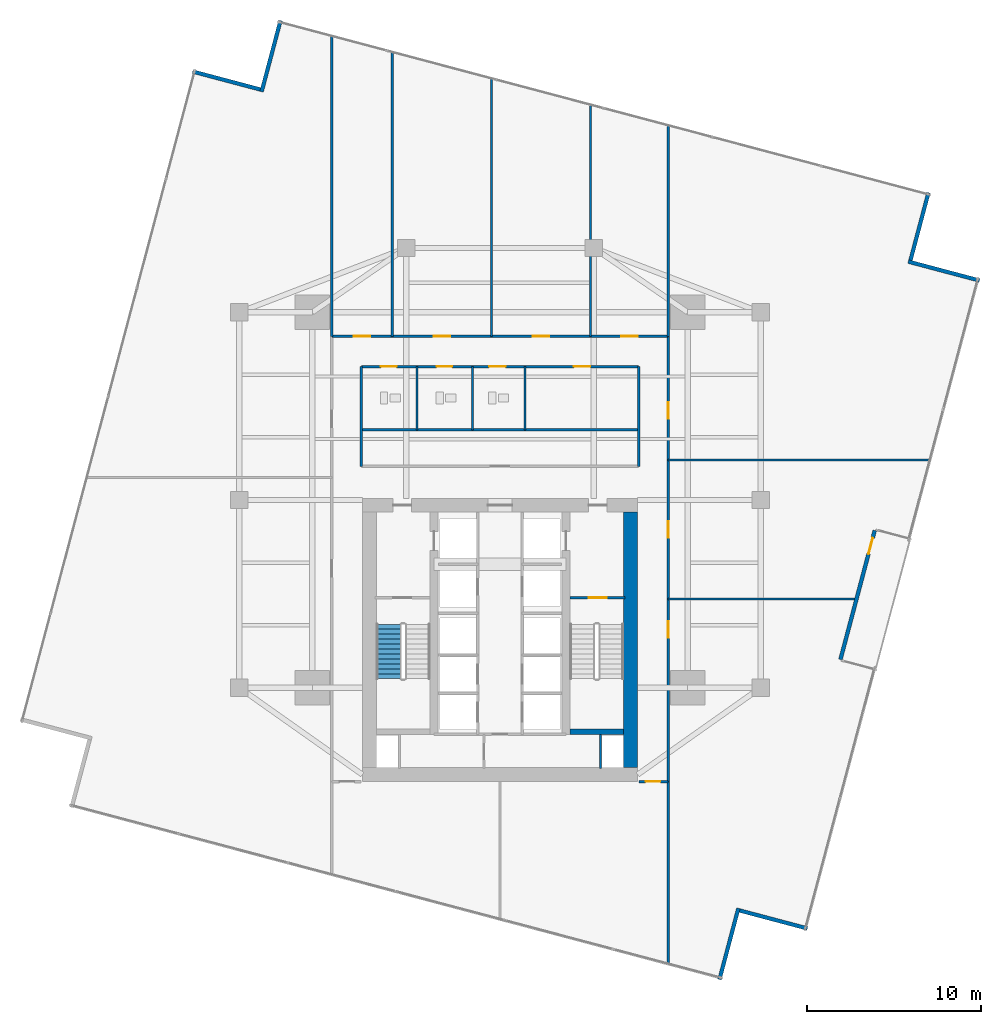
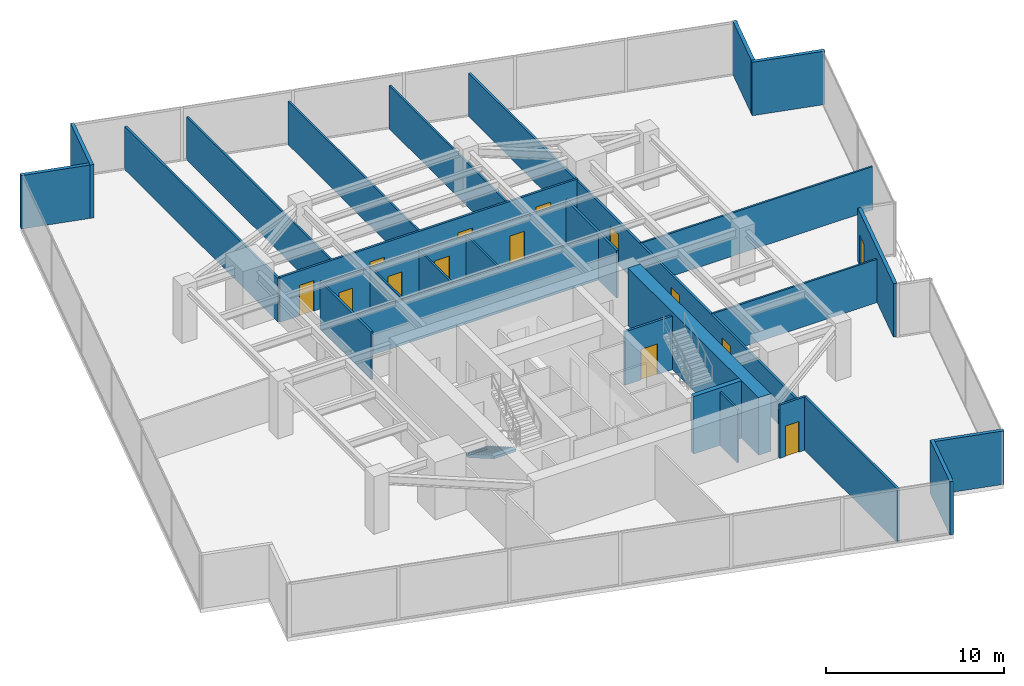
# One storey, part 24 of 27: 29 walls, 14 doors, 1 stair flight, 14 openings, 1 element without a shape of its own.
"""IFC4 building model written with IfcOpenShell, lengths in metres."""

from ifc_helpers import new_model, si_unit, direction, frame, frame_2d, origin, place, context, subcontext, project, spatial, polyline, rectangle, outline, extrude, material, layer, layer_set, type_object, element, fill, aggregate, save


model = new_model("IFC4")

# Units and contexts
model_context = context("Model", 3, precision=1e-05, world=origin(), true_north=direction((0.0, 1.0)))
body_context = subcontext(model_context, "Body", "Model", "MODEL_VIEW")
ifc_project = project(units=[si_unit("LENGTHUNIT", "METRE"), si_unit("AREAUNIT", "SQUARE_METRE"), si_unit("VOLUMEUNIT", "CUBIC_METRE"), si_unit("PLANEANGLEUNIT", "RADIAN"), si_unit("MASSUNIT", "GRAM", prefix="KILO")], contexts=[model_context])

# Site, building, storey
site_placement = place(None, origin())
site = spatial("IfcSite", under=ifc_project, at=site_placement, CompositionType="ELEMENT")
building_placement = place(site_placement, origin())
building = spatial("IfcBuilding", under=site, at=building_placement, Name="Krantzveldt Concourse Tower", CompositionType="ELEMENT")
storey_placement = place(building_placement, frame((0.0, 0.0, 101.89990234375)))
storey = spatial("IfcBuildingStorey", under=building, at=storey_placement, Name="L24", CompositionType="ELEMENT", Elevation=101.89990234375)

# Walls
ifc_material_1 = material(Name="Anodised aluminium 6063-T6", Category="aluminium")
ifc_layer_1 = layer(ifc_material_1, 0.219970703125, Name="Anodised aluminium 6063-T6", Category="aluminium")
ifc_layer_set_1 = layer_set([ifc_layer_1], Name="Anodised aluminium 6063-T6 (WL-EXT-NOTCH220)")
wall_type_1 = type_object("IfcWallType", Name="WL-EXT-NOTCH220", PredefinedType="ELEMENTEDWALL", material=ifc_layer_set_1)
wall_1_placement = place(storey_placement, frame((22.2021484375, 50.32373046875, 0.0), z_axis=(0.0, 0.0, 1.0), x_axis=(-0.966492181189, 0.256696053144, 0.0)))
element("IfcWall", 1, at=wall_1_placement, inside=storey, type_object=wall_type_1, Name="EW-L24-NCH00", PredefinedType="ELEMENTEDWALL", context=body_context, shape_type="SweptSolid", body=[
    extrude(rectangle(XDim=4.02490234375, YDim=0.219970703125, at=frame_2d((2.012451171875, 0.0))), origin(), (0.0, 0.0, 1.0), 3.670166015625),
])
wall_2_placement = place(storey_placement, frame((48.630126953125, -0.891845703125, 0.0), z_axis=(0.0, 0.0, 1.0), x_axis=(0.256692391399, 0.966493153725, 0.0)))
element("IfcWall", 2, at=wall_2_placement, inside=storey, type_object=wall_type_1, Name="EW-L24-NCH05", PredefinedType="ELEMENTEDWALL", context=body_context, shape_type="SweptSolid", body=[
    extrude(rectangle(XDim=4.244873046875, YDim=0.219970703125, at=frame_2d((2.12255859375, 0.0))), origin(), (0.0, 0.0, 1.0), 3.670166015625),
])
wall_3_placement = place(storey_placement, frame((49.7978515625, 3.076171875, 0.0), z_axis=(0.0, 0.0, 1.0), x_axis=(0.966492181189, -0.256696053144, 0.0)))
element("IfcWall", 3, at=wall_3_placement, inside=storey, type_object=wall_type_1, Name="EW-L24-NCH06", PredefinedType="ELEMENTEDWALL", context=body_context, shape_type="SweptSolid", body=[
    extrude(rectangle(XDim=4.02490234375, YDim=0.219970703125, at=frame_2d((2.012451171875, 0.0))), origin(), (0.0, 0.0, 1.0), 3.670166015625),
])

# Wall, opening, door
wall_4_placement = place(storey_placement, frame((57.5634765625, 24.95068359375, 0.0), z_axis=(0.0, 0.0, 1.0), x_axis=(-0.256717978083, -0.966486357756, 0.0)))
wall_4 = element("IfcWall", 4, at=wall_4_placement, inside=storey, type_object=wall_type_1, Name="EW-L24-TSLOT", PredefinedType="ELEMENTEDWALL", context=body_context, shape_type="SweptSolid", body=[
    extrude(rectangle(XDim=7.68994140625, YDim=0.219970703125, at=frame_2d((3.844970703125, 0.0))), origin(), (0.0, 0.0, 1.0), 3.670166015625),
])
opening_1_placement = place(wall_4_placement, frame((0.449951171875, 0.0, 0.0)))
opening_1 = element("IfcOpeningElement", 5, at=opening_1_placement, cuts=wall_4, Name="Opening D-EX95", PredefinedType="OPENING", context=body_context, shape_type="SweptSolid", body=[
    extrude(rectangle(XDim=0.949951171875, YDim=2.10009765625, at=frame_2d((0.47509765625, 1.050048828125))), frame((0.0, 0.1201171875, 0.0), z_axis=(0.0, -1.0, 0.0), x_axis=(1.0, 0.0, 0.0)), (0.0, 0.0, 1.0), 0.239990234375),
])
door_type_1 = type_object("IfcDoorType", Name="DR-EXT-950", OperationType="SINGLE_SWING_LEFT", PredefinedType="DOOR", material=ifc_material_1)
door_1_placement = place(opening_1_placement, origin())
door_1 = element("IfcDoor", 6, at=door_1_placement, inside=storey, type_object=door_type_1, Name="DR-L24-TERR", OperationType="SINGLE_SWING_LEFT", OverallHeight=2.10009765625, OverallWidth=0.949951171875, PredefinedType="DOOR", context=body_context, shape_type="SweptSolid", body=[
    extrude(rectangle(XDim=0.949951171875, YDim=2.10009765625, at=frame_2d((0.47509765625, 1.050048828125))), frame((0.0, 0.02490234375, 0.0), z_axis=(0.0, -1.0, 0.0), x_axis=(1.0, 0.0, 0.0)), (0.0, 0.0, 1.0), 0.050048828125),
])
fill(opening_1, door_1)

# Walls
wall_5_placement = place(storey_placement, frame((63.592041015625, 39.330078125, 0.0), z_axis=(0.0, 0.0, 1.0), x_axis=(-0.966482674278, 0.256731845164, 0.0)))
element("IfcWall", 7, at=wall_5_placement, inside=storey, type_object=wall_type_1, Name="EW-L24-NCH12", PredefinedType="ELEMENTEDWALL", context=body_context, shape_type="SweptSolid", body=[
    extrude(rectangle(XDim=4.2451171875, YDim=0.219970703125, at=frame_2d((2.12255859375, 0.0))), origin(), (0.0, 0.0, 1.0), 3.670166015625),
])
wall_6_placement = place(storey_placement, frame((59.623779296875, 40.497802734375, 0.0), z_axis=(0.0, 0.0, 1.0), x_axis=(0.256696053144, 0.966492181189, 0.0)))
element("IfcWall", 8, at=wall_6_placement, inside=storey, type_object=wall_type_1, Name="EW-L24-NCH13", PredefinedType="ELEMENTEDWALL", context=body_context, shape_type="SweptSolid", body=[
    extrude(rectangle(XDim=4.02490234375, YDim=0.219970703125, at=frame_2d((2.012451171875, 0.0))), origin(), (0.0, 0.0, 1.0), 3.670166015625),
])
wall_7_placement = place(storey_placement, frame((23.369873046875, 54.2919921875, 0.0), z_axis=(0.0, 0.0, 1.0), x_axis=(-0.256678123022, -0.966496943173, 0.0)))
element("IfcWall", 9, at=wall_7_placement, inside=storey, type_object=wall_type_1, Name="EW-L24-NCH15", PredefinedType="ELEMENTEDWALL", context=body_context, shape_type="SweptSolid", body=[
    extrude(rectangle(XDim=4.2451171875, YDim=0.219970703125, at=frame_2d((2.12255859375, 0.0))), origin(), (0.0, 0.0, 1.0), 3.670166015625),
])
ifc_material_2 = material(Name="Fire-rated gypsum plasterboard on steel stud", Category="steel")
ifc_layer_2 = layer(ifc_material_2, 0.1201171875, Name="Fire-rated gypsum plasterboard on steel stud", Category="steel")
ifc_layer_set_2 = layer_set([ifc_layer_2], Name="Fire-rated gypsum plasterboard on steel stud (WL-PART-120)")
wall_type_2 = type_object("IfcWallType", Name="WL-PART-120", PredefinedType="PARTITIONING", material=ifc_layer_set_2)
wall_8_placement = place(storey_placement, frame((28.02001953125, 30.739990234375, 0.0), z_axis=(0.0, 0.0, 1.0), x_axis=(1.0, 0.0, 0.0)))
element("IfcWall", 10, at=wall_8_placement, inside=storey, type_object=wall_type_2, Name="WP-L24-ISLM", PredefinedType="PARTITIONING", context=body_context, shape_type="SweptSolid", body=[
    extrude(rectangle(XDim=15.9599609375, YDim=0.1201171875, at=frame_2d((7.97998046875, 0.0))), origin(), (0.0, 0.0, 1.0), 3.080078125),
])
for number, where, z_axis, x_axis, name in (
    (11, (31.219970703125, 30.739990234375, 0.0), (0.0, 0.0, 1.0), (0.0, 1.0, 0.0), "WP-L24-WCD1"),
    (12, (34.419921875, 30.739990234375, 0.0), (0.0, 0.0, 1.0), (0.0, 1.0, 0.0), "WP-L24-WCD2"),
    (13, (37.449951171875, 30.739990234375, 0.0), (0.0, 0.0, 1.0), (0.0, 1.0, 0.0), "WP-L24-WCD3"),
):
    element("IfcWall", number, at=place(storey_placement, frame(where, z_axis=z_axis, x_axis=x_axis)), inside=storey, type_object=wall_type_2, Name=name, PredefinedType="PARTITIONING", context=body_context, shape_type="SweptSolid", body=[
        extrude(rectangle(XDim=3.639892578125, YDim=0.1201171875, at=frame_2d((1.81982421875, 0.0))), origin(), (0.0, 0.0, 1.0), 3.170166015625),
    ])
wall_9_placement = place(storey_placement, frame((29.800048828125, 36.1201171875, 0.0), z_axis=(0.0, 0.0, 1.0), x_axis=(0.0, 1.0, 0.0)))
element("IfcWall", 14, at=wall_9_placement, inside=storey, type_object=wall_type_2, Name="WP-L24-ND1", PredefinedType="PARTITIONING", context=body_context, shape_type="SweptSolid", body=[
    extrude(rectangle(XDim=16.344970703125, YDim=0.1201171875, at=frame_2d((8.17236328125, 0.0))), origin(), (0.0, 0.0, 1.0), 2.97021484375),
])
wall_10_placement = place(storey_placement, frame((35.5, 36.1201171875, 0.0), z_axis=(0.0, 0.0, 1.0), x_axis=(0.0, 1.0, 0.0)))
element("IfcWall", 15, at=wall_10_placement, inside=storey, type_object=wall_type_2, Name="WP-L24-ND2", PredefinedType="PARTITIONING", context=body_context, shape_type="SweptSolid", body=[
    extrude(rectangle(XDim=14.8310546875, YDim=0.1201171875, at=frame_2d((7.41552734375, 0.0))), origin(), (0.0, 0.0, 1.0), 2.97021484375),
])
wall_11_placement = place(storey_placement, frame((41.199951171875, 36.1201171875, 0.0), z_axis=(0.0, 0.0, 1.0), x_axis=(0.0, 1.0, 0.0)))
element("IfcWall", 16, at=wall_11_placement, inside=storey, type_object=wall_type_2, Name="WP-L24-ND3", PredefinedType="PARTITIONING", context=body_context, shape_type="SweptSolid", body=[
    extrude(rectangle(XDim=13.31689453125, YDim=0.1201171875, at=frame_2d((6.658447265625, 0.0))), origin(), (0.0, 0.0, 1.0), 2.97021484375),
])
wall_12_placement = place(storey_placement, frame((45.679931640625, 21.0, 0.0), z_axis=(0.0, 0.0, 1.0), x_axis=(1.0, 0.0, 0.0)))
element("IfcWall", 17, at=wall_12_placement, inside=storey, type_object=wall_type_2, Name="WP-L24-ED1", PredefinedType="PARTITIONING", context=body_context, shape_type="SweptSolid", body=[
    extrude(rectangle(XDim=10.71533203125, YDim=0.1201171875, at=frame_2d((5.357666015625, 0.0))), origin(), (0.0, 0.0, 1.0), 2.97021484375),
])
wall_13_placement = place(storey_placement, frame((45.679931640625, 29.0, 0.0), z_axis=(0.0, 0.0, 1.0), x_axis=(1.0, 0.0, 0.0)))
element("IfcWall", 18, at=wall_13_placement, inside=storey, type_object=wall_type_2, Name="WP-L24-ED2", PredefinedType="PARTITIONING", context=body_context, shape_type="SweptSolid", body=[
    extrude(rectangle(XDim=15.04931640625, YDim=0.1201171875, at=frame_2d((7.524658203125, 0.0))), origin(), (0.0, 0.0, 1.0), 2.97021484375),
])

# Wall, openings, doors
ifc_layer_3 = layer(ifc_material_2, 0.139892578125, Name="Fire-rated gypsum plasterboard on steel stud", Category="steel")
ifc_layer_set_3 = layer_set([ifc_layer_3], Name="Fire-rated gypsum plasterboard on steel stud (WL-PART-140)")
wall_type_3 = type_object("IfcWallType", Name="WL-PART-140", PredefinedType="PARTITIONING", material=ifc_layer_set_3)
wall_14_placement = place(storey_placement, frame((28.02001953125, 34.3798828125, 0.0), z_axis=(0.0, 0.0, 1.0), x_axis=(1.0, 0.0, 0.0)))
wall_14 = element("IfcWall", 19, at=wall_14_placement, inside=storey, type_object=wall_type_3, Name="WP-L24-ISLN", PredefinedType="PARTITIONING", context=body_context, shape_type="SweptSolid", body=[
    extrude(rectangle(XDim=15.9599609375, YDim=0.139892578125, at=frame_2d((7.97998046875, 0.0))), origin(), (0.0, 0.0, 1.0), 3.080078125),
])
opening_2_placement = place(wall_14_placement, frame((1.1298828125, 0.0, 0.0)))
opening_2 = element("IfcOpeningElement", 20, at=opening_2_placement, cuts=wall_14, Name="Opening D-IN090", PredefinedType="OPENING", context=body_context, shape_type="SweptSolid", body=[
    extrude(rectangle(XDim=0.89990234375, YDim=2.10009765625, at=frame_2d((0.449951171875, 1.050048828125))), frame((0.0, 0.080078125, 0.0), z_axis=(0.0, -1.0, 0.0), x_axis=(1.0, 0.0, 0.0)), (0.0, 0.0, 1.0), 0.159912109375),
])
opening_3_placement = place(wall_14_placement, frame((4.330078125, 0.0, 0.0)))
opening_3 = element("IfcOpeningElement", 21, at=opening_3_placement, cuts=wall_14, Name="Opening D-IN090", PredefinedType="OPENING", context=body_context, shape_type="SweptSolid", body=[
    extrude(rectangle(XDim=0.89990234375, YDim=2.10009765625, at=frame_2d((0.449951171875, 1.050048828125))), frame((0.0, 0.080078125, 0.0), z_axis=(0.0, -1.0, 0.0), x_axis=(1.0, 0.0, 0.0)), (0.0, 0.0, 1.0), 0.159912109375),
])
opening_4_placement = place(wall_14_placement, frame((7.35498046875, 0.0, 0.0)))
opening_4 = element("IfcOpeningElement", 22, at=opening_4_placement, cuts=wall_14, Name="Opening D-IN095", PredefinedType="OPENING", context=body_context, shape_type="SweptSolid", body=[
    extrude(rectangle(XDim=0.949951171875, YDim=2.10009765625, at=frame_2d((0.47509765625, 1.050048828125))), frame((0.0, 0.080078125, 0.0), z_axis=(0.0, -1.0, 0.0), x_axis=(1.0, 0.0, 0.0)), (0.0, 0.0, 1.0), 0.159912109375),
])
opening_5_placement = place(wall_14_placement, frame((12.22998046875, 0.0, 0.0)))
opening_5 = element("IfcOpeningElement", 23, at=opening_5_placement, cuts=wall_14, Name="Opening D-IN095", PredefinedType="OPENING", context=body_context, shape_type="SweptSolid", body=[
    extrude(rectangle(XDim=0.949951171875, YDim=2.10009765625, at=frame_2d((0.47509765625, 1.050048828125))), frame((0.0, 0.080078125, 0.0), z_axis=(0.0, -1.0, 0.0), x_axis=(1.0, 0.0, 0.0)), (0.0, 0.0, 1.0), 0.159912109375),
])
ifc_material_3 = material(Name="Hardwood timber", Category="wood")
door_type_2 = type_object("IfcDoorType", Name="DR-INT-900", OperationType="SINGLE_SWING_LEFT", PredefinedType="DOOR", material=ifc_material_3)
door_2_placement = place(opening_2_placement, origin())
door_2 = element("IfcDoor", 24, at=door_2_placement, inside=storey, type_object=door_type_2, Name="DR-L24-WCM", OperationType="SINGLE_SWING_LEFT", OverallHeight=2.10009765625, OverallWidth=0.89990234375, PredefinedType="DOOR", context=body_context, shape_type="SweptSolid", body=[
    extrude(rectangle(XDim=0.89990234375, YDim=2.10009765625, at=frame_2d((0.449951171875, 1.050048828125))), frame((0.0, 0.02490234375, 0.0), z_axis=(0.0, -1.0, 0.0), x_axis=(1.0, 0.0, 0.0)), (0.0, 0.0, 1.0), 0.050048828125),
])
fill(opening_2, door_2)
door_3_placement = place(opening_3_placement, origin())
door_3 = element("IfcDoor", 25, at=door_3_placement, inside=storey, type_object=door_type_2, Name="DR-L24-WCF", OperationType="SINGLE_SWING_RIGHT", OverallHeight=2.10009765625, OverallWidth=0.89990234375, PredefinedType="DOOR", context=body_context, shape_type="SweptSolid", body=[
    extrude(rectangle(XDim=0.89990234375, YDim=2.10009765625, at=frame_2d((0.449951171875, 1.050048828125))), frame((0.0, 0.02490234375, 0.0), z_axis=(0.0, -1.0, 0.0), x_axis=(1.0, 0.0, 0.0)), (0.0, 0.0, 1.0), 0.050048828125),
])
fill(opening_3, door_3)
door_type_3 = type_object("IfcDoorType", Name="DR-INT-950", OperationType="SINGLE_SWING_LEFT", PredefinedType="DOOR", material=ifc_material_3)
door_4_placement = place(opening_4_placement, origin())
door_4 = element("IfcDoor", 26, at=door_4_placement, inside=storey, type_object=door_type_3, Name="DR-L24-WCA", OperationType="SINGLE_SWING_LEFT", OverallHeight=2.10009765625, OverallWidth=0.949951171875, PredefinedType="DOOR", context=body_context, shape_type="SweptSolid", body=[
    extrude(rectangle(XDim=0.949951171875, YDim=2.10009765625, at=frame_2d((0.47509765625, 1.050048828125))), frame((0.0, 0.02490234375, 0.0), z_axis=(0.0, -1.0, 0.0), x_axis=(1.0, 0.0, 0.0)), (0.0, 0.0, 1.0), 0.050048828125),
])
fill(opening_4, door_4)
door_5_placement = place(opening_5_placement, origin())
door_5 = element("IfcDoor", 27, at=door_5_placement, inside=storey, type_object=door_type_3, Name="DR-L24-PNT", OperationType="SINGLE_SWING_RIGHT", OverallHeight=2.10009765625, OverallWidth=0.949951171875, PredefinedType="DOOR", context=body_context, shape_type="SweptSolid", body=[
    extrude(rectangle(XDim=0.949951171875, YDim=2.10009765625, at=frame_2d((0.47509765625, 1.050048828125))), frame((0.0, 0.02490234375, 0.0), z_axis=(0.0, -1.0, 0.0), x_axis=(1.0, 0.0, 0.0)), (0.0, 0.0, 1.0), 0.050048828125),
])
fill(opening_5, door_5)

# Walls
for number, where, z_axis, x_axis, name in (
    (28, (28.02001953125, 28.639892578125, 0.0), (0.0, 0.0, 1.0), (0.0, 1.0, 0.0), "WP-L24-ISLW"),
    (29, (43.97998046875, 28.639892578125, 0.0), (0.0, 0.0, 1.0), (0.0, 1.0, 0.0), "WP-L24-ISLE"),
):
    element("IfcWall", number, at=place(storey_placement, frame(where, z_axis=z_axis, x_axis=x_axis)), inside=storey, type_object=wall_type_3, Name=name, PredefinedType="PARTITIONING", context=body_context, shape_type="SweptSolid", body=[
        extrude(rectangle(XDim=5.739990234375, YDim=0.139892578125, at=frame_2d((2.8701171875, 0.0))), origin(), (0.0, 0.0, 1.0), 3.27001953125),
    ])

# Wall, openings, doors
wall_15_placement = place(storey_placement, frame((26.320068359375, 36.1201171875, 0.0), z_axis=(0.0, 0.0, 1.0), x_axis=(1.0, 0.0, 0.0)))
wall_15 = element("IfcWall", 30, at=wall_15_placement, inside=storey, type_object=wall_type_3, Name="WP-L24-CTOP", PredefinedType="PARTITIONING", context=body_context, shape_type="SweptSolid", body=[
    extrude(rectangle(XDim=19.35986328125, YDim=0.139892578125, at=frame_2d((9.679931640625, 0.0))), origin(), (0.0, 0.0, 1.0), 3.080078125),
])
opening_6_placement = place(wall_15_placement, frame((1.264892578125, 0.0, 0.0)))
opening_6 = element("IfcOpeningElement", 31, at=opening_6_placement, cuts=wall_15, Name="Opening D-IN095", PredefinedType="OPENING", context=body_context, shape_type="SweptSolid", body=[
    extrude(rectangle(XDim=0.949951171875, YDim=2.10009765625, at=frame_2d((0.47509765625, 1.050048828125))), frame((0.0, 0.080078125, 0.0), z_axis=(0.0, -1.0, 0.0), x_axis=(1.0, 0.0, 0.0)), (0.0, 0.0, 1.0), 0.159912109375),
])
opening_7_placement = place(wall_15_placement, frame((5.85498046875, 0.0, 0.0)))
opening_7 = element("IfcOpeningElement", 32, at=opening_7_placement, cuts=wall_15, Name="Opening D-IN095", PredefinedType="OPENING", context=body_context, shape_type="SweptSolid", body=[
    extrude(rectangle(XDim=0.949951171875, YDim=2.10009765625, at=frame_2d((0.47509765625, 1.050048828125))), frame((0.0, 0.080078125, 0.0), z_axis=(0.0, -1.0, 0.0), x_axis=(1.0, 0.0, 0.0)), (0.0, 0.0, 1.0), 0.159912109375),
])
opening_8_placement = place(wall_15_placement, frame((11.554931640625, 0.0, 0.0)))
opening_8 = element("IfcOpeningElement", 33, at=opening_8_placement, cuts=wall_15, Name="Opening D-IN095", PredefinedType="OPENING", context=body_context, shape_type="SweptSolid", body=[
    extrude(rectangle(XDim=0.949951171875, YDim=2.10009765625, at=frame_2d((0.47509765625, 1.050048828125))), frame((0.0, 0.080078125, 0.0), z_axis=(0.0, -1.0, 0.0), x_axis=(1.0, 0.0, 0.0)), (0.0, 0.0, 1.0), 0.159912109375),
])
opening_9_placement = place(wall_15_placement, frame((16.64501953125, 0.0, 0.0)))
opening_9 = element("IfcOpeningElement", 34, at=opening_9_placement, cuts=wall_15, Name="Opening D-IN095", PredefinedType="OPENING", context=body_context, shape_type="SweptSolid", body=[
    extrude(rectangle(XDim=0.949951171875, YDim=2.10009765625, at=frame_2d((0.47509765625, 1.050048828125))), frame((0.0, 0.080078125, 0.0), z_axis=(0.0, -1.0, 0.0), x_axis=(1.0, 0.0, 0.0)), (0.0, 0.0, 1.0), 0.159912109375),
])
door_6_placement = place(opening_6_placement, origin())
door_6 = element("IfcDoor", 35, at=door_6_placement, inside=storey, type_object=door_type_3, Name="DR-L24-NR1", OperationType="SINGLE_SWING_LEFT", OverallHeight=2.10009765625, OverallWidth=0.949951171875, PredefinedType="DOOR", context=body_context, shape_type="SweptSolid", body=[
    extrude(rectangle(XDim=0.949951171875, YDim=2.10009765625, at=frame_2d((0.47509765625, 1.050048828125))), frame((0.0, 0.02490234375, 0.0), z_axis=(0.0, -1.0, 0.0), x_axis=(1.0, 0.0, 0.0)), (0.0, 0.0, 1.0), 0.050048828125),
])
fill(opening_6, door_6)
door_7_placement = place(opening_7_placement, origin())
door_7 = element("IfcDoor", 36, at=door_7_placement, inside=storey, type_object=door_type_3, Name="DR-L24-NR2", OperationType="SINGLE_SWING_LEFT", OverallHeight=2.10009765625, OverallWidth=0.949951171875, PredefinedType="DOOR", context=body_context, shape_type="SweptSolid", body=[
    extrude(rectangle(XDim=0.949951171875, YDim=2.10009765625, at=frame_2d((0.47509765625, 1.050048828125))), frame((0.0, 0.02490234375, 0.0), z_axis=(0.0, -1.0, 0.0), x_axis=(1.0, 0.0, 0.0)), (0.0, 0.0, 1.0), 0.050048828125),
])
fill(opening_7, door_7)
door_8_placement = place(opening_8_placement, origin())
door_8 = element("IfcDoor", 37, at=door_8_placement, inside=storey, type_object=door_type_3, Name="DR-L24-NR3", OperationType="SINGLE_SWING_LEFT", OverallHeight=2.10009765625, OverallWidth=0.949951171875, PredefinedType="DOOR", context=body_context, shape_type="SweptSolid", body=[
    extrude(rectangle(XDim=0.949951171875, YDim=2.10009765625, at=frame_2d((0.47509765625, 1.050048828125))), frame((0.0, 0.02490234375, 0.0), z_axis=(0.0, -1.0, 0.0), x_axis=(1.0, 0.0, 0.0)), (0.0, 0.0, 1.0), 0.050048828125),
])
fill(opening_8, door_8)
door_9_placement = place(opening_9_placement, origin())
door_9 = element("IfcDoor", 38, at=door_9_placement, inside=storey, type_object=door_type_3, Name="DR-L24-NR4", OperationType="SINGLE_SWING_LEFT", OverallHeight=2.10009765625, OverallWidth=0.949951171875, PredefinedType="DOOR", context=body_context, shape_type="SweptSolid", body=[
    extrude(rectangle(XDim=0.949951171875, YDim=2.10009765625, at=frame_2d((0.47509765625, 1.050048828125))), frame((0.0, 0.02490234375, 0.0), z_axis=(0.0, -1.0, 0.0), x_axis=(1.0, 0.0, 0.0)), (0.0, 0.0, 1.0), 0.050048828125),
])
fill(opening_9, door_9)

wall_16_placement = place(storey_placement, frame((45.679931640625, 10.5, 0.0), z_axis=(0.0, 0.0, 1.0), x_axis=(0.0, 1.0, 0.0)))
wall_16 = element("IfcWall", 39, at=wall_16_placement, inside=storey, type_object=wall_type_3, Name="WP-L24-CEAST", PredefinedType="PARTITIONING", context=body_context, shape_type="SweptSolid", body=[
    extrude(rectangle(XDim=25.6201171875, YDim=0.139892578125, at=frame_2d((12.81005859375, 0.0))), origin(), (0.0, 0.0, 1.0), 2.97021484375),
])
opening_10_placement = place(wall_16_placement, frame((8.27490234375, 0.0, 0.0)))
opening_10 = element("IfcOpeningElement", 40, at=opening_10_placement, cuts=wall_16, Name="Opening D-IN095", PredefinedType="OPENING", context=body_context, shape_type="SweptSolid", body=[
    extrude(rectangle(XDim=0.949951171875, YDim=2.10009765625, at=frame_2d((0.47509765625, 1.050048828125))), frame((0.0, 0.080078125, 0.0), z_axis=(0.0, -1.0, 0.0), x_axis=(1.0, 0.0, 0.0)), (0.0, 0.0, 1.0), 0.159912109375),
])
opening_11_placement = place(wall_16_placement, frame((14.02490234375, 0.0, 0.0)))
opening_11 = element("IfcOpeningElement", 41, at=opening_11_placement, cuts=wall_16, Name="Opening D-IN095", PredefinedType="OPENING", context=body_context, shape_type="SweptSolid", body=[
    extrude(rectangle(XDim=0.949951171875, YDim=2.10009765625, at=frame_2d((0.47509765625, 1.050048828125))), frame((0.0, 0.080078125, 0.0), z_axis=(0.0, -1.0, 0.0), x_axis=(1.0, 0.0, 0.0)), (0.0, 0.0, 1.0), 0.159912109375),
])
opening_12_placement = place(wall_16_placement, frame((20.875, 0.0, 0.0)))
opening_12 = element("IfcOpeningElement", 42, at=opening_12_placement, cuts=wall_16, Name="Opening D-IN095", PredefinedType="OPENING", context=body_context, shape_type="SweptSolid", body=[
    extrude(rectangle(XDim=0.949951171875, YDim=2.10009765625, at=frame_2d((0.47509765625, 1.050048828125))), frame((0.0, 0.080078125, 0.0), z_axis=(0.0, -1.0, 0.0), x_axis=(1.0, 0.0, 0.0)), (0.0, 0.0, 1.0), 0.159912109375),
])
door_10_placement = place(opening_10_placement, origin())
door_10 = element("IfcDoor", 43, at=door_10_placement, inside=storey, type_object=door_type_3, Name="DR-L24-ER1", OperationType="SINGLE_SWING_LEFT", OverallHeight=2.10009765625, OverallWidth=0.949951171875, PredefinedType="DOOR", context=body_context, shape_type="SweptSolid", body=[
    extrude(rectangle(XDim=0.949951171875, YDim=2.10009765625, at=frame_2d((0.47509765625, 1.050048828125))), frame((0.0, 0.02490234375, 0.0), z_axis=(0.0, -1.0, 0.0), x_axis=(1.0, 0.0, 0.0)), (0.0, 0.0, 1.0), 0.050048828125),
])
fill(opening_10, door_10)
door_11_placement = place(opening_11_placement, origin())
door_11 = element("IfcDoor", 44, at=door_11_placement, inside=storey, type_object=door_type_3, Name="DR-L24-ER2", OperationType="SINGLE_SWING_LEFT", OverallHeight=2.10009765625, OverallWidth=0.949951171875, PredefinedType="DOOR", context=body_context, shape_type="SweptSolid", body=[
    extrude(rectangle(XDim=0.949951171875, YDim=2.10009765625, at=frame_2d((0.47509765625, 1.050048828125))), frame((0.0, 0.02490234375, 0.0), z_axis=(0.0, -1.0, 0.0), x_axis=(1.0, 0.0, 0.0)), (0.0, 0.0, 1.0), 0.050048828125),
])
fill(opening_11, door_11)
door_12_placement = place(opening_12_placement, origin())
door_12 = element("IfcDoor", 45, at=door_12_placement, inside=storey, type_object=door_type_3, Name="DR-L24-ER3", OperationType="SINGLE_SWING_LEFT", OverallHeight=2.10009765625, OverallWidth=0.949951171875, PredefinedType="DOOR", context=body_context, shape_type="SweptSolid", body=[
    extrude(rectangle(XDim=0.949951171875, YDim=2.10009765625, at=frame_2d((0.47509765625, 1.050048828125))), frame((0.0, 0.02490234375, 0.0), z_axis=(0.0, -1.0, 0.0), x_axis=(1.0, 0.0, 0.0)), (0.0, 0.0, 1.0), 0.050048828125),
])
fill(opening_12, door_12)

# Wall, opening, door
wall_17_placement = place(storey_placement, frame((44.0, 10.5, 0.0), z_axis=(0.0, 0.0, 1.0), x_axis=(1.0, 0.0, 0.0)))
wall_17 = element("IfcWall", 46, at=wall_17_placement, inside=storey, type_object=wall_type_3, Name="WP-L24-CEBOT", PredefinedType="PARTITIONING", context=body_context, shape_type="SweptSolid", body=[
    extrude(rectangle(XDim=1.679931640625, YDim=0.139892578125, at=frame_2d((0.83984375, 0.0))), origin(), (0.0, 0.0, 1.0), 3.670166015625),
])
opening_13_placement = place(wall_17_placement, frame((0.385009765625, 0.0, 0.0)))
opening_13 = element("IfcOpeningElement", 47, at=opening_13_placement, cuts=wall_17, Name="Opening D-IN085", PredefinedType="OPENING", context=body_context, shape_type="SweptSolid", body=[
    extrude(rectangle(XDim=0.85009765625, YDim=2.10009765625, at=frame_2d((0.425048828125, 1.050048828125))), frame((0.0, 0.080078125, 0.0), z_axis=(0.0, -1.0, 0.0), x_axis=(1.0, 0.0, 0.0)), (0.0, 0.0, 1.0), 0.159912109375),
])
door_type_4 = type_object("IfcDoorType", Name="DR-INT-850", OperationType="SINGLE_SWING_LEFT", PredefinedType="DOOR", material=ifc_material_3)
door_13_placement = place(opening_13_placement, origin())
door_13 = element("IfcDoor", 48, at=door_13_placement, inside=storey, type_object=door_type_4, Name="DR-L24-SR2", OperationType="SINGLE_SWING_LEFT", OverallHeight=2.10009765625, OverallWidth=0.85009765625, PredefinedType="DOOR", context=body_context, shape_type="SweptSolid", body=[
    extrude(rectangle(XDim=0.85009765625, YDim=2.10009765625, at=frame_2d((0.425048828125, 1.050048828125))), frame((0.0, 0.02490234375, 0.0), z_axis=(0.0, -1.0, 0.0), x_axis=(1.0, 0.0, 0.0)), (0.0, 0.0, 1.0), 0.050048828125),
])
fill(opening_13, door_13)

# Walls
wall_18_placement = place(storey_placement, frame((26.320068359375, 36.1201171875, 0.0), z_axis=(0.0, 0.0, 1.0), x_axis=(0.0, 1.0, 0.0)))
element("IfcWall", 49, at=wall_18_placement, inside=storey, type_object=wall_type_3, Name="WP-L24-NWL", PredefinedType="PARTITIONING", context=body_context, shape_type="SweptSolid", body=[
    extrude(rectangle(XDim=17.269287109375, YDim=0.139892578125, at=frame_2d((8.634765625, 0.0))), origin(), (0.0, 0.0, 1.0), 2.97021484375),
])
wall_19_placement = place(storey_placement, frame((45.679931640625, 36.1201171875, 0.0), z_axis=(0.0, 0.0, 1.0), x_axis=(0.0, 1.0, 0.0)))
element("IfcWall", 50, at=wall_19_placement, inside=storey, type_object=wall_type_3, Name="WP-L24-NER", PredefinedType="PARTITIONING", context=body_context, shape_type="SweptSolid", body=[
    extrude(rectangle(XDim=12.126953125, YDim=0.139892578125, at=frame_2d((6.0634765625, 0.0))), origin(), (0.0, 0.0, 1.0), 2.97021484375),
])
wall_20_placement = place(storey_placement, frame((45.679931640625, 0.010498046875, 0.0), z_axis=(0.0, 0.0, 1.0), x_axis=(0.0, 1.0, 0.0)))
element("IfcWall", 51, at=wall_20_placement, inside=storey, type_object=wall_type_3, Name="WP-L24-SER", PredefinedType="PARTITIONING", context=body_context, shape_type="SweptSolid", body=[
    extrude(rectangle(XDim=10.489501953125, YDim=0.139892578125, at=frame_2d((5.24462890625, 0.0))), origin(), (0.0, 0.0, 1.0), 3.670166015625),
])
ifc_layer_4 = layer(ifc_material_2, 0.139892578125, Name="Fire-rated gypsum plasterboard on steel stud", Category="steel")
ifc_layer_set_4 = layer_set([ifc_layer_4], Name="Fire-rated gypsum plasterboard on steel stud (WL-PART-FR140)")
wall_type_4 = type_object("IfcWallType", Name="WL-PART-FR140", PredefinedType="PARTITIONING", material=ifc_layer_set_4)
wall_21_placement = place(storey_placement, frame((41.780029296875, 11.25, 0.0), z_axis=(0.0, 0.0, 1.0), x_axis=(0.0, 1.0, 0.0)))
element("IfcWall", 52, at=wall_21_placement, inside=storey, type_object=wall_type_4, Name="WP-L24-RSE", PredefinedType="PARTITIONING", context=body_context, shape_type="SweptSolid", body=[
    extrude(rectangle(XDim=1.969970703125, YDim=0.1201171875, at=frame_2d((0.98486328125, 0.0))), origin(), (0.0, 0.0, 1.0), 3.670166015625),
])

# Wall, opening, door
ifc_layer_5 = layer(ifc_material_2, 0.159912109375, Name="Fire-rated gypsum plasterboard on steel stud", Category="steel")
ifc_layer_set_5 = layer_set([ifc_layer_5], Name="Fire-rated gypsum plasterboard on steel stud (WL-PART-FR160)")
wall_type_5 = type_object("IfcWallType", Name="WL-PART-FR160", PredefinedType="PARTITIONING", material=ifc_layer_set_5)
wall_22_placement = place(storey_placement, frame((40.0400390625, 21.080078125, 0.0), z_axis=(0.0, 0.0, 1.0), x_axis=(1.0, 0.0, 0.0)))
wall_22 = element("IfcWall", 53, at=wall_22_placement, inside=storey, type_object=wall_type_5, Name="WP-L24-ST2", PredefinedType="PARTITIONING", context=body_context, shape_type="SweptSolid", body=[
    extrude(rectangle(XDim=3.159912109375, YDim=0.159912109375, at=frame_2d((1.580078125, 0.0))), origin(), (0.0, 0.0, 1.0), 3.670166015625),
])
opening_14_placement = place(wall_22_placement, frame((1.054931640625, 0.0, 0.0)))
opening_14 = element("IfcOpeningElement", 54, at=opening_14_placement, cuts=wall_22, Name="Opening D-FD105", PredefinedType="OPENING", context=body_context, shape_type="SweptSolid", body=[
    extrude(rectangle(XDim=1.050048828125, YDim=2.10009765625, at=frame_2d((0.52490234375, 1.050048828125))), frame((0.0, 0.08984375, 0.0), z_axis=(0.0, -1.0, 0.0), x_axis=(1.0, 0.0, 0.0)), (0.0, 0.0, 1.0), 0.179931640625),
])
ifc_material_4 = material(Name="Galvanised steel", Category="steel")
door_type_5 = type_object("IfcDoorType", Name="DR-FD120-1050", OperationType="SINGLE_SWING_LEFT", PredefinedType="DOOR", material=ifc_material_4)
door_14_placement = place(opening_14_placement, origin())
door_14 = element("IfcDoor", 55, at=door_14_placement, inside=storey, type_object=door_type_5, Name="DR-L24-ST2", OperationType="SINGLE_SWING_LEFT", OverallHeight=2.10009765625, OverallWidth=1.050048828125, PredefinedType="DOOR", context=body_context, shape_type="SweptSolid", body=[
    extrude(rectangle(XDim=1.050048828125, YDim=2.10009765625, at=frame_2d((0.52490234375, 1.050048828125))), frame((0.0, 0.02490234375, 0.0), z_axis=(0.0, -1.0, 0.0), x_axis=(1.0, 0.0, 0.0)), (0.0, 0.0, 1.0), 0.050048828125),
])
fill(opening_14, door_14)

# Walls
ifc_material_5 = material(Name="Concrete C50/60", Category="concrete")
ifc_layer_6 = layer(ifc_material_5, 0.300048828125, Name="Concrete C50/60", Category="concrete")
ifc_layer_set_6 = layer_set([ifc_layer_6], Name="Concrete C50/60 (WL-SHEAR-300)")
wall_type_6 = type_object("IfcWallType", Name="WL-SHEAR-300", PredefinedType="SHEAR", material=ifc_layer_set_6)
wall_23_placement = place(storey_placement, frame((40.02001953125, 13.3701171875, 0.0), z_axis=(0.0, 0.0, 1.0), x_axis=(1.0, 0.0, 0.0)))
element("IfcWall", 56, at=wall_23_placement, inside=storey, type_object=wall_type_6, Name="CW-L24-ST2S", PredefinedType="SHEAR", context=body_context, shape_type="SweptSolid", body=[
    extrude(rectangle(XDim=3.10009765625, YDim=0.300048828125, at=frame_2d((1.550048828125, 0.0))), origin(), (0.0, 0.0, 1.0), 3.9501953125),
])
ifc_material_6 = material(Name="Concrete C60/75", Category="concrete")
ifc_layer_7 = layer(ifc_material_6, 0.800048828125, Name="Concrete C60/75", Category="concrete")
ifc_layer_set_7 = layer_set([ifc_layer_7], Name="Concrete C60/75 (WL-SHEAR-800)")
wall_type_7 = type_object("IfcWallType", Name="WL-SHEAR-800", PredefinedType="SHEAR", material=ifc_layer_set_7)
wall_24_placement = place(storey_placement, frame((43.52001953125, 11.300048828125, 0.0), z_axis=(0.0, 0.0, 1.0), x_axis=(0.0, 1.0, 0.0)))
element("IfcWall", 57, at=wall_24_placement, inside=storey, type_object=wall_type_7, Name="CW-L24-E", PredefinedType="SHEAR", context=body_context, shape_type="SweptSolid", body=[
    extrude(rectangle(XDim=14.699951171875, YDim=0.800048828125, at=frame_2d((7.35009765625, 0.0))), origin(), (0.0, 0.0, 1.0), 3.9501953125),
])

# Stair, stair flight
ifc_material_7 = material(Name="Precast concrete C40/50", Category="concrete")
stair_type = type_object("IfcStairType", Name="STR-CORE-DOGLEG", PredefinedType="HALF_TURN_STAIR", material=ifc_material_7)
stair_placement = place(storey_placement, origin())
stair = element("IfcStair", 58, at=stair_placement, inside=storey, type_object=stair_type, Name="L24 Protected Escape Stair ST-1", PredefinedType="HALF_TURN_STAIR")
stair_flight_type = type_object("IfcStairFlightType", Name="STF-CORE-1450", PredefinedType="STRAIGHT", material=ifc_material_7)
stair_flight_placement = place(storey_placement, frame((29.60498046875, 19.550048828125, 0.0), z_axis=(0.0, 0.0, 1.0), x_axis=(0.0, -1.0, 0.0)))
stair_flight = element("IfcStairFlight", 59, at=stair_flight_placement, type_object=stair_flight_type, Name="ST-1 flight 1", NumberOfRisers=12, NumberOfTreads=11, PredefinedType="STRAIGHT", RiserHeight=0.164583333, TreadLength=0.285, context=body_context, shape_type="SweptSolid", body=[
    extrude(outline(polyline([(0.0, 0.0), (0.0, 0.16455078125), (0.284912109375, 0.16455078125), (0.284912109375, 0.3291015625), (0.570068359375, 0.3291015625), (0.570068359375, 0.49365234375), (0.85498046875, 0.49365234375), (0.85498046875, 0.658447265625), (1.139892578125, 0.658447265625), (1.139892578125, 0.822998046875), (1.425048828125, 0.822998046875), (1.425048828125, 0.987548828125), (1.7099609375, 0.987548828125), (1.7099609375, 1.152099609375), (1.9951171875, 1.152099609375), (1.9951171875, 1.316650390625), (2.280029296875, 1.316650390625), (2.280029296875, 1.481201171875), (2.56494140625, 1.481201171875), (2.56494140625, 1.645751953125), (2.85009765625, 1.645751953125), (2.85009765625, 1.810302734375), (3.135009765625, 1.810302734375), (3.135009765625, 1.97509765625), (3.135009765625, 1.63720703125), (0.2998046875, 0.0), (0.0, 0.0)])), frame((0.0, 0.72509765625, 0.0), z_axis=(0.0, -1.0, 0.0), x_axis=(1.0, 0.0, 0.0)), (0.0, 0.0, 1.0), 1.449951171875),
])
aggregate(stair, [stair_flight])

save(model, "model.ifc")
